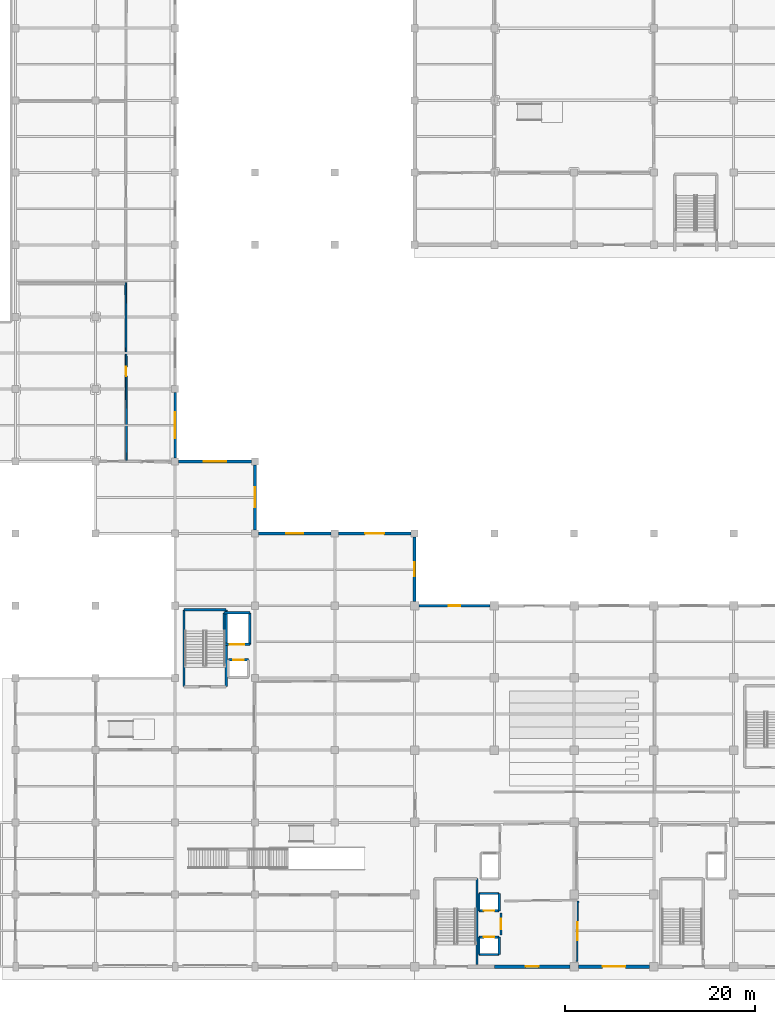
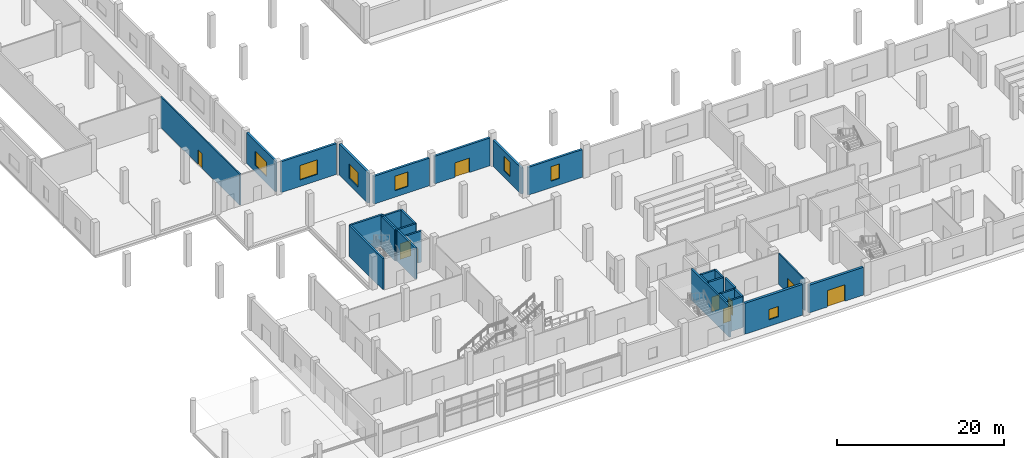
# One storey, part 17 of 36: 29 walls, 9 doors, 7 windows, 16 openings.
"""IFC4 building model written with IfcOpenShell, lengths in metres."""

from ifc_helpers import new_model, si_unit, direction, frame, frame_2d, origin, place, context, subcontext, project, spatial, rectangle, extrude, material, layer, layer_set, type_object, element, fill, save


model = new_model("IFC4")

# Units and contexts
model_context = context("Model", 3, precision=1e-05, world=origin(), true_north=direction((0.0, 1.0)))
body_context = subcontext(model_context, "Body", "Model", "MODEL_VIEW")
ifc_project = project(units=[si_unit("LENGTHUNIT", "METRE"), si_unit("AREAUNIT", "SQUARE_METRE"), si_unit("VOLUMEUNIT", "CUBIC_METRE"), si_unit("PLANEANGLEUNIT", "RADIAN"), si_unit("MASSUNIT", "GRAM", prefix="KILO")], contexts=[model_context])

# Site, building, storey
site_placement = place(None, origin())
site = spatial("IfcSite", under=ifc_project, at=site_placement, CompositionType="ELEMENT")
building_placement = place(site_placement, origin())
building = spatial("IfcBuilding", under=site, at=building_placement, Name="Zuvorla Pavilion Media Centre", CompositionType="ELEMENT")
storey_placement = place(building_placement, origin())
storey = spatial("IfcBuildingStorey", under=building, at=storey_placement, Name="L00", CompositionType="ELEMENT", Elevation=0.0)

# Wall, opening, door
ifc_material_1 = material(Name="Acoustic masonry blockwork C32/40", Category="masonry")
ifc_layer_1 = layer(ifc_material_1, 0.219970703125)
ifc_layer_set_1 = layer_set([ifc_layer_1], Name="Acoustic masonry blockwork C32/40")
wall_type_1 = type_object("IfcWallType", Name="WL-CMP-220", PredefinedType="SOLIDWALL", material=ifc_layer_set_1)
wall_1_placement = place(storey_placement, frame((75.89990234375, 9.35009765625, 0.0), z_axis=(0.0, 0.0, 1.0), x_axis=(0.0, 1.0, 0.0)))
wall_1 = element("IfcWall", 1, at=wall_1_placement, inside=storey, type_object=wall_type_1, Name="L00 solid wall IW22 18", PredefinedType="SOLIDWALL", context=body_context, shape_type="SweptSolid", body=[
    extrude(rectangle(XDim=2.2998046875, YDim=0.219970703125, at=frame_2d((1.14990234375, 0.0))), origin(), (0.0, 0.0, 1.0), 4.5),
])
opening_1_placement = place(wall_1_placement, frame((0.60009765625, 0.0, 0.0)))
opening_1 = element("IfcOpeningElement", 2, at=opening_1_placement, cuts=wall_1, Name="Opening FD05", PredefinedType="OPENING", context=body_context, shape_type="SweptSolid", body=[
    extrude(rectangle(XDim=1.10009765625, YDim=2.10009765625, at=frame_2d((0.550048828125, 1.050048828125))), frame((0.0, 0.119873046875, 0.0), z_axis=(0.0, -1.0, 0.0), x_axis=(1.0, 0.0, 0.0)), (0.0, 0.0, 1.0), 0.239990234375),
])
ifc_material_2 = material(Name="Acoustic timber fire door leaf in steel frame", Category="steel")
door_type_1 = type_object("IfcDoorType", Name="DR-INT-FD05", OperationType="NOTDEFINED", PredefinedType="DOOR", material=ifc_material_2)
door_1_placement = place(opening_1_placement, origin())
door_1 = element("IfcDoor", 3, at=door_1_placement, inside=storey, type_object=door_type_1, Name="Lift lobby 1 door FD05 8", OperationType="SINGLE_SWING_RIGHT", OverallHeight=2.10009765625, OverallWidth=1.10009765625, PredefinedType="DOOR", context=body_context, shape_type="SweptSolid", body=[
    extrude(rectangle(XDim=1.10009765625, YDim=2.10009765625, at=frame_2d((0.550048828125, 1.050048828125))), frame((0.0, 0.02490234375, 0.0), z_axis=(0.0, -1.0, 0.0), x_axis=(1.0, 0.0, 0.0)), (0.0, 0.0, 1.0), 0.050048828125),
])
fill(opening_1, door_1)

# Walls
ifc_material_3 = material(Name="Concrete C40/50", Category="concrete")
ifc_layer_2 = layer(ifc_material_3, 0.25)
ifc_layer_set_2 = layer_set([ifc_layer_2], Name="Concrete C40/50")
wall_type_2 = type_object("IfcWallType", Name="WL-COR-250", PredefinedType="SHEAR", material=ifc_layer_set_2)
wall_2_placement = place(storey_placement, frame((73.375, 6.22509765625, 0.0), z_axis=(0.0, 0.0, 1.0), x_axis=(0.0, 1.0, 0.0)))
element("IfcWall", 4, at=wall_2_placement, inside=storey, type_object=wall_type_2, Name="L00 shear wall CW25 13", PredefinedType="SHEAR", context=body_context, shape_type="SweptSolid", body=[
    extrude(rectangle(XDim=9.0498046875, YDim=0.25, at=frame_2d((4.52490234375, 0.0))), origin(), (0.0, 0.0, 1.0), 4.52001953125),
])
wall_3_placement = place(storey_placement, frame((73.590087890625, 7.2900390625, 0.0), z_axis=(0.0, 0.0, 1.0), x_axis=(1.0, 0.0, 0.0)))
element("IfcWall", 5, at=wall_3_placement, inside=storey, type_object=wall_type_2, Name="L00 shear wall CW25 65", PredefinedType="SHEAR", context=body_context, shape_type="SweptSolid", body=[
    extrude(rectangle(XDim=2.119873046875, YDim=0.25, at=frame_2d((1.06005859375, 0.0))), origin(), (0.0, 0.0, 1.0), 4.52001953125),
])

# Wall, opening, door
wall_4_placement = place(storey_placement, frame((73.590087890625, 9.110107421875, 0.0), z_axis=(0.0, 0.0, 1.0), x_axis=(1.0, 0.0, 0.0)))
wall_4 = element("IfcWall", 6, at=wall_4_placement, inside=storey, type_object=wall_type_2, Name="L00 shear wall CW25 66", PredefinedType="SHEAR", context=body_context, shape_type="SweptSolid", body=[
    extrude(rectangle(XDim=2.119873046875, YDim=0.25, at=frame_2d((1.06005859375, 0.0))), origin(), (0.0, 0.0, 1.0), 4.52001953125),
])
opening_2_placement = place(wall_4_placement, frame((0.510009765625, 0.0, 0.0)))
opening_2 = element("IfcOpeningElement", 7, at=opening_2_placement, cuts=wall_4, Name="Opening LD01", PredefinedType="OPENING", context=body_context, shape_type="SweptSolid", body=[
    extrude(rectangle(XDim=1.10009765625, YDim=2.14990234375, at=frame_2d((0.550048828125, 1.074951171875))), frame((0.0, 0.135009765625, 0.0), z_axis=(0.0, -1.0, 0.0), x_axis=(1.0, 0.0, 0.0)), (0.0, 0.0, 1.0), 0.27001953125),
])
ifc_material_4 = material(Name="Brushed stainless steel sliding lift landing door", Category="steel")
door_type_2 = type_object("IfcDoorType", Name="DR-LFT-LD01", OperationType="SLIDING_TO_LEFT", PredefinedType="DOOR", material=ifc_material_4)
door_2_placement = place(opening_2_placement, origin())
door_2 = element("IfcDoor", 8, at=door_2_placement, inside=storey, type_object=door_type_2, Name="Lift LF-01 landing door LD01 34", OperationType="SLIDING_TO_LEFT", OverallHeight=2.14990234375, OverallWidth=1.10009765625, PredefinedType="DOOR", context=body_context, shape_type="SweptSolid", body=[
    extrude(rectangle(XDim=1.10009765625, YDim=2.14990234375, at=frame_2d((0.550048828125, 1.074951171875))), frame((0.0, 0.02490234375, 0.0), z_axis=(0.0, -1.0, 0.0), x_axis=(1.0, 0.0, 0.0)), (0.0, 0.0, 1.0), 0.050048828125),
])
fill(opening_2, door_2)

# Walls
for number, where, z_axis, x_axis, name in (
    (9, (73.590087890625, 7.2900390625, 0.0), (0.0, 0.0, 1.0), (0.0, 1.0, 0.0), "L00 shear wall CW25 67"),
    (10, (75.7099609375, 7.2900390625, 0.0), (0.0, 0.0, 1.0), (0.0, 1.0, 0.0), "L00 shear wall CW25 68"),
):
    element("IfcWall", number, at=place(storey_placement, frame(where, z_axis=z_axis, x_axis=x_axis)), inside=storey, type_object=wall_type_2, Name=name, PredefinedType="SHEAR", context=body_context, shape_type="SweptSolid", body=[
        extrude(rectangle(XDim=1.820068359375, YDim=0.25, at=frame_2d((0.91015625, 0.0))), origin(), (0.0, 0.0, 1.0), 4.52001953125),
    ])

# Wall, opening, door
wall_5_placement = place(storey_placement, frame((73.590087890625, 11.889892578125, 0.0), z_axis=(0.0, 0.0, 1.0), x_axis=(1.0, 0.0, 0.0)))
wall_5 = element("IfcWall", 11, at=wall_5_placement, inside=storey, type_object=wall_type_2, Name="L00 shear wall CW25 97", PredefinedType="SHEAR", context=body_context, shape_type="SweptSolid", body=[
    extrude(rectangle(XDim=2.119873046875, YDim=0.25, at=frame_2d((1.06005859375, 0.0))), origin(), (0.0, 0.0, 1.0), 4.52001953125),
])
opening_3_placement = place(wall_5_placement, frame((0.510009765625, 0.0, 0.0)))
opening_3 = element("IfcOpeningElement", 12, at=opening_3_placement, cuts=wall_5, Name="Opening LD01", PredefinedType="OPENING", context=body_context, shape_type="SweptSolid", body=[
    extrude(rectangle(XDim=1.10009765625, YDim=2.14990234375, at=frame_2d((0.550048828125, 1.074951171875))), frame((0.0, 0.135009765625, 0.0), z_axis=(0.0, -1.0, 0.0), x_axis=(1.0, 0.0, 0.0)), (0.0, 0.0, 1.0), 0.27001953125),
])
door_3_placement = place(opening_3_placement, origin())
door_3 = element("IfcDoor", 13, at=door_3_placement, inside=storey, type_object=door_type_2, Name="Lift LF-02 landing door LD01 42", OperationType="SLIDING_TO_LEFT", OverallHeight=2.14990234375, OverallWidth=1.10009765625, PredefinedType="DOOR", context=body_context, shape_type="SweptSolid", body=[
    extrude(rectangle(XDim=1.10009765625, YDim=2.14990234375, at=frame_2d((0.550048828125, 1.074951171875))), frame((0.0, 0.02490234375, 0.0), z_axis=(0.0, -1.0, 0.0), x_axis=(1.0, 0.0, 0.0)), (0.0, 0.0, 1.0), 0.050048828125),
])
fill(opening_3, door_3)

# Walls
wall_6_placement = place(storey_placement, frame((73.590087890625, 13.7099609375, 0.0), z_axis=(0.0, 0.0, 1.0), x_axis=(1.0, 0.0, 0.0)))
element("IfcWall", 14, at=wall_6_placement, inside=storey, type_object=wall_type_2, Name="L00 shear wall CW25 98", PredefinedType="SHEAR", context=body_context, shape_type="SweptSolid", body=[
    extrude(rectangle(XDim=2.119873046875, YDim=0.25, at=frame_2d((1.06005859375, 0.0))), origin(), (0.0, 0.0, 1.0), 4.52001953125),
])
for number, where, z_axis, x_axis, name in (
    (15, (73.590087890625, 11.889892578125, 0.0), (0.0, 0.0, 1.0), (0.0, 1.0, 0.0), "L00 shear wall CW25 99"),
    (16, (75.7099609375, 11.889892578125, 0.0), (0.0, 0.0, 1.0), (0.0, 1.0, 0.0), "L00 shear wall CW25 100"),
):
    element("IfcWall", number, at=place(storey_placement, frame(where, z_axis=z_axis, x_axis=x_axis)), inside=storey, type_object=wall_type_2, Name=name, PredefinedType="SHEAR", context=body_context, shape_type="SweptSolid", body=[
        extrude(rectangle(XDim=1.820068359375, YDim=0.25, at=frame_2d((0.91015625, 0.0))), origin(), (0.0, 0.0, 1.0), 4.52001953125),
    ])
for number, where, z_axis, x_axis, name in (
    (17, (42.52490234375, 35.47509765625, 0.0), (0.0, 0.0, 1.0), (0.0, 1.0, 0.0), "L00 shear wall CW25 241"),
    (18, (46.97509765625, 35.47509765625, 0.0), (0.0, 0.0, 1.0), (0.0, 1.0, 0.0), "L00 shear wall CW25 242"),
):
    element("IfcWall", number, at=place(storey_placement, frame(where, z_axis=z_axis, x_axis=x_axis)), inside=storey, type_object=wall_type_2, Name=name, PredefinedType="SHEAR", context=body_context, shape_type="SweptSolid", body=[
        extrude(rectangle(XDim=8.099853515625, YDim=0.25, at=frame_2d((4.0498046875, 0.0))), origin(), (0.0, 0.0, 1.0), 4.52001953125),
    ])
wall_7_placement = place(storey_placement, frame((42.52490234375, 43.574951171875, 0.0), z_axis=(0.0, 0.0, 1.0), x_axis=(1.0, 0.0, 0.0)))
element("IfcWall", 19, at=wall_7_placement, inside=storey, type_object=wall_type_2, Name="L00 shear wall CW25 243", PredefinedType="SHEAR", context=body_context, shape_type="SweptSolid", body=[
    extrude(rectangle(XDim=4.4501953125, YDim=0.25, at=frame_2d((2.22509765625, 0.0))), origin(), (0.0, 0.0, 1.0), 4.52001953125),
])

# Wall, opening, door
wall_8_placement = place(storey_placement, frame((47.18994140625, 38.31005859375, 0.0), z_axis=(0.0, 0.0, 1.0), x_axis=(1.0, 0.0, 0.0)))
wall_8 = element("IfcWall", 20, at=wall_8_placement, inside=storey, type_object=wall_type_2, Name="L00 shear wall CW25 266", PredefinedType="SHEAR", context=body_context, shape_type="SweptSolid", body=[
    extrude(rectangle(XDim=2.1201171875, YDim=0.25, at=frame_2d((1.06005859375, 0.0))), origin(), (0.0, 0.0, 1.0), 4.52001953125),
])
opening_4_placement = place(wall_8_placement, frame((0.510009765625, 0.0, 0.0)))
opening_4 = element("IfcOpeningElement", 21, at=opening_4_placement, cuts=wall_8, Name="Opening LD01", PredefinedType="OPENING", context=body_context, shape_type="SweptSolid", body=[
    extrude(rectangle(XDim=1.10009765625, YDim=2.14990234375, at=frame_2d((0.550048828125, 1.074951171875))), frame((0.0, 0.135009765625, 0.0), z_axis=(0.0, -1.0, 0.0), x_axis=(1.0, 0.0, 0.0)), (0.0, 0.0, 1.0), 0.27001953125),
])
door_4_placement = place(opening_4_placement, origin())
door_4 = element("IfcDoor", 22, at=door_4_placement, inside=storey, type_object=door_type_2, Name="Lift LF-05 landing door LD01 96", OperationType="SLIDING_TO_LEFT", OverallHeight=2.14990234375, OverallWidth=1.10009765625, PredefinedType="DOOR", context=body_context, shape_type="SweptSolid", body=[
    extrude(rectangle(XDim=1.10009765625, YDim=2.14990234375, at=frame_2d((0.550048828125, 1.074951171875))), frame((0.0, 0.02490234375, 0.0), z_axis=(0.0, -1.0, 0.0), x_axis=(1.0, 0.0, 0.0)), (0.0, 0.0, 1.0), 0.050048828125),
])
fill(opening_4, door_4)

wall_9_placement = place(storey_placement, frame((46.739990234375, 39.93994140625, 0.0), z_axis=(0.0, 0.0, 1.0), x_axis=(1.0, 0.0, 0.0)))
wall_9 = element("IfcWall", 23, at=wall_9_placement, inside=storey, type_object=wall_type_2, Name="L00 shear wall CW25 285", PredefinedType="SHEAR", context=body_context, shape_type="SweptSolid", body=[
    extrude(rectangle(XDim=2.719970703125, YDim=0.25, at=frame_2d((1.35986328125, 0.0))), origin(), (0.0, 0.0, 1.0), 4.52001953125),
])
opening_5_placement = place(wall_9_placement, frame((0.610107421875, 0.0, 0.0)))
opening_5 = element("IfcOpeningElement", 24, at=opening_5_placement, cuts=wall_9, Name="Opening LD03", PredefinedType="OPENING", context=body_context, shape_type="SweptSolid", body=[
    extrude(rectangle(XDim=1.5, YDim=2.300048828125, at=frame_2d((0.75, 1.14990234375))), frame((0.0, 0.135009765625, 0.0), z_axis=(0.0, -1.0, 0.0), x_axis=(1.0, 0.0, 0.0)), (0.0, 0.0, 1.0), 0.27001953125),
])
door_type_3 = type_object("IfcDoorType", Name="DR-LFT-LD03", OperationType="SLIDING_TO_LEFT", PredefinedType="DOOR", material=ifc_material_4)
door_5_placement = place(opening_5_placement, origin())
door_5 = element("IfcDoor", 25, at=door_5_placement, inside=storey, type_object=door_type_3, Name="Lift LF-06 landing door LD03 101", OperationType="SLIDING_TO_LEFT", OverallHeight=2.300048828125, OverallWidth=1.5, PredefinedType="DOOR", context=body_context, shape_type="SweptSolid", body=[
    extrude(rectangle(XDim=1.5, YDim=2.300048828125, at=frame_2d((0.75, 1.14990234375))), frame((0.0, 0.02490234375, 0.0), z_axis=(0.0, -1.0, 0.0), x_axis=(1.0, 0.0, 0.0)), (0.0, 0.0, 1.0), 0.050048828125),
])
fill(opening_5, door_5)

# Walls
wall_10_placement = place(storey_placement, frame((46.739990234375, 43.260009765625, 0.0), z_axis=(0.0, 0.0, 1.0), x_axis=(1.0, 0.0, 0.0)))
element("IfcWall", 26, at=wall_10_placement, inside=storey, type_object=wall_type_2, Name="L00 shear wall CW25 286", PredefinedType="SHEAR", context=body_context, shape_type="SweptSolid", body=[
    extrude(rectangle(XDim=2.719970703125, YDim=0.25, at=frame_2d((1.35986328125, 0.0))), origin(), (0.0, 0.0, 1.0), 4.52001953125),
])
for number, where, z_axis, x_axis, name in (
    (27, (46.739990234375, 39.93994140625, 0.0), (0.0, 0.0, 1.0), (0.0, 1.0, 0.0), "L00 shear wall CW25 287"),
    (28, (49.4599609375, 39.93994140625, 0.0), (0.0, 0.0, 1.0), (0.0, 1.0, 0.0), "L00 shear wall CW25 288"),
):
    element("IfcWall", number, at=place(storey_placement, frame(where, z_axis=z_axis, x_axis=x_axis)), inside=storey, type_object=wall_type_2, Name=name, PredefinedType="SHEAR", context=body_context, shape_type="SweptSolid", body=[
        extrude(rectangle(XDim=3.320068359375, YDim=0.25, at=frame_2d((1.66015625, 0.0))), origin(), (0.0, 0.0, 1.0), 4.52001953125),
    ])

# Wall, opening, window
ifc_material_5 = material(Name="White rendered concrete C32/40", Category="concrete")
ifc_layer_3 = layer(ifc_material_5, 0.300048828125)
ifc_layer_set_3 = layer_set([ifc_layer_3], Name="White rendered concrete C32/40")
wall_type_3 = type_object("IfcWallType", Name="WL-EXT-300", PredefinedType="SOLIDWALL", material=ifc_layer_set_3)
wall_11_placement = place(storey_placement, frame((74.75, 44.0, 0.0), z_axis=(0.0, 0.0, 1.0), x_axis=(-1.0, 0.0, 0.0)))
wall_11 = element("IfcWall", 29, at=wall_11_placement, inside=storey, type_object=wall_type_3, Name="L00 exterior solid wall EW03 80", PredefinedType="SOLIDWALL", context=body_context, shape_type="SweptSolid", body=[
    extrude(rectangle(XDim=7.5, YDim=0.300048828125, at=frame_2d((3.75, 0.0))), origin(), (0.0, 0.0, 1.0), 4.047119140625),
])
opening_6_placement = place(wall_11_placement, frame((3.14990234375, 0.0, 0.949951171875)))
opening_6 = element("IfcOpeningElement", 30, at=opening_6_placement, cuts=wall_11, Name="Opening WN17", PredefinedType="OPENING", context=body_context, shape_type="SweptSolid", body=[
    extrude(rectangle(XDim=1.199951171875, YDim=2.10009765625, at=frame_2d((0.60009765625, 1.050048828125))), frame((0.0, 0.159912109375, 0.0), z_axis=(0.0, -1.0, 0.0), x_axis=(1.0, 0.0, 0.0)), (0.0, 0.0, 1.0), 0.320068359375),
])
ifc_material_6 = material(Name="Anodised aluminium frame with solar double glazing", Category="aluminium")
window_type_1 = type_object("IfcWindowType", Name="WIN-WN17", PartitioningType="SINGLE_PANEL", PredefinedType="WINDOW", material=ifc_material_6)
window_1_placement = place(opening_6_placement, origin())
window_1 = element("IfcWindow", 31, at=window_1_placement, inside=storey, type_object=window_type_1, Name="L00 window WN17 17", OverallHeight=2.10009765625, OverallWidth=1.199951171875, PartitioningType="SINGLE_PANEL", PredefinedType="WINDOW", context=body_context, shape_type="SweptSolid", body=[
    extrude(rectangle(XDim=1.199951171875, YDim=2.10009765625, at=frame_2d((0.60009765625, 1.050048828125))), frame((0.0, 0.030029296875, 0.0), z_axis=(0.0, -1.0, 0.0), x_axis=(1.0, 0.0, 0.0)), (0.0, 0.0, 1.0), 0.06005859375),
])
fill(opening_6, window_1)

wall_12_placement = place(storey_placement, frame((66.800048828125, 44.449951171875, 0.0), z_axis=(0.0, 0.0, 1.0), x_axis=(0.0, 1.0, 0.0)))
wall_12 = element("IfcWall", 32, at=wall_12_placement, inside=storey, type_object=wall_type_3, Name="L00 exterior solid wall EW03 81", PredefinedType="SOLIDWALL", context=body_context, shape_type="SweptSolid", body=[
    extrude(rectangle(XDim=6.775146484375, YDim=0.300048828125, at=frame_2d((3.3876953125, 0.0))), origin(), (0.0, 0.0, 1.0), 3.810302734375),
])
opening_7_placement = place(wall_12_placement, frame((2.637451171875, 0.0, 0.949951171875)))
opening_7 = element("IfcOpeningElement", 33, at=opening_7_placement, cuts=wall_12, Name="Opening WN18", PredefinedType="OPENING", context=body_context, shape_type="SweptSolid", body=[
    extrude(rectangle(XDim=1.5, YDim=2.10009765625, at=frame_2d((0.75, 1.050048828125))), frame((0.0, 0.159912109375, 0.0), z_axis=(0.0, -1.0, 0.0), x_axis=(1.0, 0.0, 0.0)), (0.0, 0.0, 1.0), 0.320068359375),
])
window_type_2 = type_object("IfcWindowType", Name="WIN-WN18", PartitioningType="SINGLE_PANEL", PredefinedType="WINDOW", material=ifc_material_6)
window_2_placement = place(opening_7_placement, origin())
window_2 = element("IfcWindow", 34, at=window_2_placement, inside=storey, type_object=window_type_2, Name="L00 window WN18 18", OverallHeight=2.10009765625, OverallWidth=1.5, PartitioningType="SINGLE_PANEL", PredefinedType="WINDOW", context=body_context, shape_type="SweptSolid", body=[
    extrude(rectangle(XDim=1.5, YDim=2.10009765625, at=frame_2d((0.75, 1.050048828125))), frame((0.0, 0.030029296875, 0.0), z_axis=(0.0, -1.0, 0.0), x_axis=(1.0, 0.0, 0.0)), (0.0, 0.0, 1.0), 0.06005859375),
])
fill(opening_7, window_2)

# Wall, opening, door
wall_13_placement = place(storey_placement, frame((66.425048828125, 51.60009765625, 0.0), z_axis=(0.0, 0.0, 1.0), x_axis=(-1.0, 0.0, 0.0)))
wall_13 = element("IfcWall", 35, at=wall_13_placement, inside=storey, type_object=wall_type_3, Name="L00 exterior solid wall EW03 82", PredefinedType="SOLIDWALL", context=body_context, shape_type="SweptSolid", body=[
    extrude(rectangle(XDim=7.650146484375, YDim=0.300048828125, at=frame_2d((3.8251953125, 0.0))), origin(), (0.0, 0.0, 1.0), 4.047119140625),
])
opening_8_placement = place(wall_13_placement, frame((2.824951171875, 0.0, 0.0)))
opening_8 = element("IfcOpeningElement", 36, at=opening_8_placement, cuts=wall_13, Name="Opening GT02", PredefinedType="OPENING", context=body_context, shape_type="SweptSolid", body=[
    extrude(rectangle(XDim=2.0, YDim=2.10009765625, at=frame_2d((1.0, 1.050048828125))), frame((0.0, 0.159912109375, 0.0), z_axis=(0.0, -1.0, 0.0), x_axis=(1.0, 0.0, 0.0)), (0.0, 0.0, 1.0), 0.320068359375),
])
ifc_material_7 = material(Name="Architectural powder-coated steel service gate", Category="steel")
door_type_4 = type_object("IfcDoorType", Name="DR-GAT-200x210", OperationType="NOTDEFINED", PredefinedType="GATE", material=ifc_material_7)
door_6_placement = place(opening_8_placement, origin())
door_6 = element("IfcDoor", 37, at=door_6_placement, inside=storey, type_object=door_type_4, Name="Exterior Exit Door DR-EXT-L00-011", OperationType="DOUBLE_DOOR_SINGLE_SWING", OverallHeight=2.10009765625, OverallWidth=2.0, PredefinedType="GATE", context=body_context, shape_type="SweptSolid", body=[
    extrude(rectangle(XDim=2.0, YDim=2.10009765625, at=frame_2d((1.0, 1.050048828125))), frame((0.0, 0.02490234375, 0.0), z_axis=(0.0, -1.0, 0.0), x_axis=(1.0, 0.0, 0.0)), (0.0, 0.0, 1.0), 0.050048828125),
])
fill(opening_8, door_6)

# Wall, opening, window
wall_14_placement = place(storey_placement, frame((58.02490234375, 51.60009765625, 0.0), z_axis=(0.0, 0.0, 1.0), x_axis=(-1.0, 0.0, 0.0)))
wall_14 = element("IfcWall", 38, at=wall_14_placement, inside=storey, type_object=wall_type_3, Name="L00 exterior solid wall EW03 83", PredefinedType="SOLIDWALL", context=body_context, shape_type="SweptSolid", body=[
    extrude(rectangle(XDim=7.64990234375, YDim=0.300048828125, at=frame_2d((3.824951171875, 0.0))), origin(), (0.0, 0.0, 1.0), 4.047119140625),
])
opening_9_placement = place(wall_14_placement, frame((2.925048828125, 0.0, 0.949951171875)))
opening_9 = element("IfcOpeningElement", 39, at=opening_9_placement, cuts=wall_14, Name="Opening WN19", PredefinedType="OPENING", context=body_context, shape_type="SweptSolid", body=[
    extrude(rectangle(XDim=1.800048828125, YDim=2.10009765625, at=frame_2d((0.89990234375, 1.050048828125))), frame((0.0, 0.159912109375, 0.0), z_axis=(0.0, -1.0, 0.0), x_axis=(1.0, 0.0, 0.0)), (0.0, 0.0, 1.0), 0.320068359375),
])
window_type_3 = type_object("IfcWindowType", Name="WIN-WN19", PartitioningType="DOUBLE_PANEL_VERTICAL", PredefinedType="WINDOW", material=ifc_material_6)
window_3_placement = place(opening_9_placement, origin())
window_3 = element("IfcWindow", 40, at=window_3_placement, inside=storey, type_object=window_type_3, Name="L00 window WN19 19", OverallHeight=2.10009765625, OverallWidth=1.800048828125, PartitioningType="DOUBLE_PANEL_VERTICAL", PredefinedType="WINDOW", context=body_context, shape_type="SweptSolid", body=[
    extrude(rectangle(XDim=1.800048828125, YDim=2.10009765625, at=frame_2d((0.89990234375, 1.050048828125))), frame((0.0, 0.030029296875, 0.0), z_axis=(0.0, -1.0, 0.0), x_axis=(1.0, 0.0, 0.0)), (0.0, 0.0, 1.0), 0.06005859375),
])
fill(opening_9, window_3)

wall_15_placement = place(storey_placement, frame((50.0, 51.97509765625, 0.0), z_axis=(0.0, 0.0, 1.0), x_axis=(0.0, 1.0, 0.0)))
wall_15 = element("IfcWall", 41, at=wall_15_placement, inside=storey, type_object=wall_type_3, Name="L00 exterior solid wall EW03 84", PredefinedType="SOLIDWALL", context=body_context, shape_type="SweptSolid", body=[
    extrude(rectangle(XDim=6.849853515625, YDim=0.300048828125, at=frame_2d((3.4248046875, 0.0))), origin(), (0.0, 0.0, 1.0), 4.5),
])
opening_10_placement = place(wall_15_placement, frame((2.375, 0.0, 0.949951171875)))
opening_10 = element("IfcOpeningElement", 42, at=opening_10_placement, cuts=wall_15, Name="Opening WN20", PredefinedType="OPENING", context=body_context, shape_type="SweptSolid", body=[
    extrude(rectangle(XDim=2.10009765625, YDim=2.10009765625, at=frame_2d((1.050048828125, 1.050048828125))), frame((0.0, 0.159912109375, 0.0), z_axis=(0.0, -1.0, 0.0), x_axis=(1.0, 0.0, 0.0)), (0.0, 0.0, 1.0), 0.320068359375),
])
window_type_4 = type_object("IfcWindowType", Name="WIN-WN20", PartitioningType="DOUBLE_PANEL_VERTICAL", PredefinedType="WINDOW", material=ifc_material_6)
window_4_placement = place(opening_10_placement, origin())
window_4 = element("IfcWindow", 43, at=window_4_placement, inside=storey, type_object=window_type_4, Name="L00 window WN20 20", OverallHeight=2.10009765625, OverallWidth=2.10009765625, PartitioningType="DOUBLE_PANEL_VERTICAL", PredefinedType="WINDOW", context=body_context, shape_type="SweptSolid", body=[
    extrude(rectangle(XDim=2.10009765625, YDim=2.10009765625, at=frame_2d((1.050048828125, 1.050048828125))), frame((0.0, 0.030029296875, 0.0), z_axis=(0.0, -1.0, 0.0), x_axis=(1.0, 0.0, 0.0)), (0.0, 0.0, 1.0), 0.06005859375),
])
fill(opening_10, window_4)

wall_16_placement = place(storey_placement, frame((49.625, 59.199951171875, 0.0), z_axis=(0.0, 0.0, 1.0), x_axis=(-1.0, 0.0, 0.0)))
wall_16 = element("IfcWall", 44, at=wall_16_placement, inside=storey, type_object=wall_type_3, Name="L00 exterior solid wall EW03 85", PredefinedType="SOLIDWALL", context=body_context, shape_type="SweptSolid", body=[
    extrude(rectangle(XDim=7.64990234375, YDim=0.300048828125, at=frame_2d((3.824951171875, 0.0))), origin(), (0.0, 0.0, 1.0), 4.5),
])
opening_11_placement = place(wall_16_placement, frame((2.625, 0.0, 0.949951171875)))
opening_11 = element("IfcOpeningElement", 45, at=opening_11_placement, cuts=wall_16, Name="Opening WN21", PredefinedType="OPENING", context=body_context, shape_type="SweptSolid", body=[
    extrude(rectangle(XDim=2.39990234375, YDim=2.10009765625, at=frame_2d((1.199951171875, 1.050048828125))), frame((0.0, 0.159912109375, 0.0), z_axis=(0.0, -1.0, 0.0), x_axis=(1.0, 0.0, 0.0)), (0.0, 0.0, 1.0), 0.320068359375),
])
window_type_5 = type_object("IfcWindowType", Name="WIN-WN21", PartitioningType="DOUBLE_PANEL_VERTICAL", PredefinedType="WINDOW", material=ifc_material_6)
window_5_placement = place(opening_11_placement, origin())
window_5 = element("IfcWindow", 46, at=window_5_placement, inside=storey, type_object=window_type_5, Name="L00 window WN21 21", OverallHeight=2.10009765625, OverallWidth=2.39990234375, PartitioningType="DOUBLE_PANEL_VERTICAL", PredefinedType="WINDOW", context=body_context, shape_type="SweptSolid", body=[
    extrude(rectangle(XDim=2.39990234375, YDim=2.10009765625, at=frame_2d((1.199951171875, 1.050048828125))), frame((0.0, 0.030029296875, 0.0), z_axis=(0.0, -1.0, 0.0), x_axis=(1.0, 0.0, 0.0)), (0.0, 0.0, 1.0), 0.06005859375),
])
fill(opening_11, window_5)

wall_17_placement = place(storey_placement, frame((41.60009765625, 59.574951171875, 0.0), z_axis=(0.0, 0.0, 1.0), x_axis=(0.0, 1.0, 0.0)))
wall_17 = element("IfcWall", 47, at=wall_17_placement, inside=storey, type_object=wall_type_3, Name="L00 exterior solid wall EW03 86", PredefinedType="SOLIDWALL", context=body_context, shape_type="SweptSolid", body=[
    extrude(rectangle(XDim=6.85009765625, YDim=0.300048828125, at=frame_2d((3.425048828125, 0.0))), origin(), (0.0, 0.0, 1.0), 4.5),
])
opening_12_placement = place(wall_17_placement, frame((2.074951171875, 0.0, 0.949951171875)))
opening_12 = element("IfcOpeningElement", 48, at=opening_12_placement, cuts=wall_17, Name="Opening WN22", PredefinedType="OPENING", context=body_context, shape_type="SweptSolid", body=[
    extrude(rectangle(XDim=2.699951171875, YDim=2.10009765625, at=frame_2d((1.35009765625, 1.050048828125))), frame((0.0, 0.159912109375, 0.0), z_axis=(0.0, -1.0, 0.0), x_axis=(1.0, 0.0, 0.0)), (0.0, 0.0, 1.0), 0.320068359375),
])
window_type_6 = type_object("IfcWindowType", Name="WIN-WN22", PartitioningType="DOUBLE_PANEL_VERTICAL", PredefinedType="WINDOW", material=ifc_material_6)
window_6_placement = place(opening_12_placement, origin())
window_6 = element("IfcWindow", 49, at=window_6_placement, inside=storey, type_object=window_type_6, Name="L00 window WN22 22", OverallHeight=2.10009765625, OverallWidth=2.699951171875, PartitioningType="DOUBLE_PANEL_VERTICAL", PredefinedType="WINDOW", context=body_context, shape_type="SweptSolid", body=[
    extrude(rectangle(XDim=2.699951171875, YDim=2.10009765625, at=frame_2d((1.35009765625, 1.050048828125))), frame((0.0, 0.030029296875, 0.0), z_axis=(0.0, -1.0, 0.0), x_axis=(1.0, 0.0, 0.0)), (0.0, 0.0, 1.0), 0.06005859375),
])
fill(opening_12, window_6)

ifc_layer_4 = layer(ifc_material_5, 0.340087890625)
ifc_layer_set_4 = layer_set([ifc_layer_4], Name="White rendered concrete C32/40")
wall_type_4 = type_object("IfcWallType", Name="WL-EXT-340", PredefinedType="SOLIDWALL", material=ifc_layer_set_4)
wall_18_placement = place(storey_placement, frame((75.199951171875, 6.0, 0.0), z_axis=(0.0, 0.0, 1.0), x_axis=(1.0, 0.0, 0.0)))
wall_18 = element("IfcWall", 50, at=wall_18_placement, inside=storey, type_object=wall_type_4, Name="L00 exterior solid wall EW02 55", PredefinedType="SOLIDWALL", context=body_context, shape_type="SweptSolid", body=[
    extrude(rectangle(XDim=7.949951171875, YDim=0.340087890625, at=frame_2d((3.97509765625, 0.0))), origin(), (0.0, 0.0, 1.0), 4.5),
])
opening_13_placement = place(wall_18_placement, frame((3.300048828125, 0.0, 0.949951171875)))
opening_13 = element("IfcOpeningElement", 51, at=opening_13_placement, cuts=wall_18, Name="Opening WN02", PredefinedType="OPENING", context=body_context, shape_type="SweptSolid", body=[
    extrude(rectangle(XDim=1.35009765625, YDim=1.5, at=frame_2d((0.675048828125, 0.75))), frame((0.0, 0.179931640625, 0.0), z_axis=(0.0, -1.0, 0.0), x_axis=(1.0, 0.0, 0.0)), (0.0, 0.0, 1.0), 0.360107421875),
])
window_type_7 = type_object("IfcWindowType", Name="WIN-WN02", PartitioningType="SINGLE_PANEL", PredefinedType="WINDOW", material=ifc_material_6)
window_7_placement = place(opening_13_placement, origin())
window_7 = element("IfcWindow", 52, at=window_7_placement, inside=storey, type_object=window_type_7, Name="L00 window WN02 2", OverallHeight=1.5, OverallWidth=1.35009765625, PartitioningType="SINGLE_PANEL", PredefinedType="WINDOW", context=body_context, shape_type="SweptSolid", body=[
    extrude(rectangle(XDim=1.35009765625, YDim=1.5, at=frame_2d((0.675048828125, 0.75))), frame((0.0, 0.030029296875, 0.0), z_axis=(0.0, -1.0, 0.0), x_axis=(1.0, 0.0, 0.0)), (0.0, 0.0, 1.0), 0.06005859375),
])
fill(opening_13, window_7)

# Wall, opening, door
wall_19_placement = place(storey_placement, frame((84.050048828125, 6.0, 0.0), z_axis=(0.0, 0.0, 1.0), x_axis=(1.0, 0.0, 0.0)))
wall_19 = element("IfcWall", 53, at=wall_19_placement, inside=storey, type_object=wall_type_4, Name="L00 exterior solid wall EW02 56", PredefinedType="SOLIDWALL", context=body_context, shape_type="SweptSolid", body=[
    extrude(rectangle(XDim=7.5, YDim=0.340087890625, at=frame_2d((3.75, 0.0))), origin(), (0.0, 0.0, 1.0), 4.047119140625),
])
opening_14_placement = place(wall_19_placement, frame((2.550048828125, 0.0, 0.0)))
opening_14 = element("IfcOpeningElement", 54, at=opening_14_placement, cuts=wall_19, Name="Opening ED01", PredefinedType="OPENING", context=body_context, shape_type="SweptSolid", body=[
    extrude(rectangle(XDim=2.39990234375, YDim=2.39990234375, at=frame_2d((1.199951171875, 1.199951171875))), frame((0.0, 0.179931640625, 0.0), z_axis=(0.0, -1.0, 0.0), x_axis=(1.0, 0.0, 0.0)), (0.0, 0.0, 1.0), 0.360107421875),
])
ifc_material_8 = material(Name="Anodised aluminium glazed entrance door", Category="aluminium")
door_type_5 = type_object("IfcDoorType", Name="DR-EXT-240x240", OperationType="NOTDEFINED", PredefinedType="DOOR", material=ifc_material_8)
door_7_placement = place(opening_14_placement, frame((2.39990234375, 0.0, 0.0), z_axis=(0.0, 0.0, 1.0), x_axis=(-1.0, 0.0, 0.0)))
door_7 = element("IfcDoor", 55, at=door_7_placement, inside=storey, type_object=door_type_5, Name="Exterior Exit Door DR-EXT-L00-004", OperationType="DOUBLE_DOOR_SINGLE_SWING", OverallHeight=2.39990234375, OverallWidth=2.39990234375, PredefinedType="DOOR", context=body_context, shape_type="SweptSolid", body=[
    extrude(rectangle(XDim=2.39990234375, YDim=2.39990234375, at=frame_2d((1.199951171875, 1.199951171875))), frame((0.0, 0.02490234375, 0.0), z_axis=(0.0, -1.0, 0.0), x_axis=(1.0, 0.0, 0.0)), (0.0, 0.0, 1.0), 0.050048828125),
])
fill(opening_14, door_7)

ifc_material_9 = material(Name="Double acoustic gypsum stud partition")
ifc_layer_5 = layer(ifc_material_9, 0.179931640625)
ifc_layer_set_5 = layer_set([ifc_layer_5], Name="Double acoustic gypsum stud partition")
wall_type_5 = type_object("IfcWallType", Name="WL-PRT-180", PredefinedType="PARTITIONING", material=ifc_layer_set_5)
wall_20_placement = place(storey_placement, frame((36.489501953125, 59.2900390625, 0.0), z_axis=(0.0, 0.0, 1.0), x_axis=(-0.004757754169, 0.999988681824, 0.0)))
wall_20 = element("IfcWall", 56, at=wall_20_placement, inside=storey, type_object=wall_type_5, Name="L00 partition PT18 393", PredefinedType="PARTITIONING", context=body_context, shape_type="SweptSolid", body=[
    extrude(rectangle(XDim=18.729736328125, YDim=0.179931640625, at=frame_2d((9.36474609375, 0.0))), origin(), (0.0, 0.0, 1.0), 4.5),
])
opening_15_placement = place(wall_20_placement, frame((8.864990234375, 0.0, 0.0)))
opening_15 = element("IfcOpeningElement", 57, at=opening_15_placement, cuts=wall_20, Name="Opening FD03", PredefinedType="OPENING", context=body_context, shape_type="SweptSolid", body=[
    extrude(rectangle(XDim=1.0, YDim=2.10009765625, at=frame_2d((0.5, 1.050048828125))), frame((0.0, 0.099853515625, 0.0), z_axis=(0.0, -1.0, 0.0), x_axis=(1.0, 0.0, 0.0)), (0.0, 0.0, 1.0), 0.199951171875),
])
door_type_6 = type_object("IfcDoorType", Name="DR-INT-FD03", OperationType="NOTDEFINED", PredefinedType="DOOR", material=ifc_material_2)
door_8_placement = place(opening_15_placement, origin())
door_8 = element("IfcDoor", 58, at=door_8_placement, inside=storey, type_object=door_type_6, Name="Interior door FD03 137", OperationType="SINGLE_SWING_RIGHT", OverallHeight=2.10009765625, OverallWidth=1.0, PredefinedType="DOOR", context=body_context, shape_type="SweptSolid", body=[
    extrude(rectangle(XDim=1.0, YDim=2.10009765625, at=frame_2d((0.5, 1.050048828125))), frame((0.0, 0.02490234375, 0.0), z_axis=(0.0, -1.0, 0.0), x_axis=(1.0, 0.0, 0.0)), (0.0, 0.0, 1.0), 0.050048828125),
])
fill(opening_15, door_8)

wall_21_placement = place(storey_placement, frame((83.998779296875, 12.919921875, 0.0), z_axis=(0.0, 0.0, 1.0), x_axis=(-0.013736649608, -0.999905647778, 0.0)))
wall_21 = element("IfcWall", 59, at=wall_21_placement, inside=storey, type_object=wall_type_5, Name="L00 partition PT18 403", PredefinedType="PARTITIONING", context=body_context, shape_type="SweptSolid", body=[
    extrude(rectangle(XDim=6.38037109375, YDim=0.179931640625, at=frame_2d((3.190185546875, 0.0))), origin(), (0.0, 0.0, 1.0), 4.5),
])
opening_16_placement = place(wall_21_placement, frame((2.240234375, 0.0, 0.0)))
opening_16 = element("IfcOpeningElement", 60, at=opening_16_placement, cuts=wall_21, Name="Opening FD11", PredefinedType="OPENING", context=body_context, shape_type="SweptSolid", body=[
    extrude(rectangle(XDim=1.89990234375, YDim=2.199951171875, at=frame_2d((0.949951171875, 1.10009765625))), frame((0.0, 0.099853515625, 0.0), z_axis=(0.0, -1.0, 0.0), x_axis=(1.0, 0.0, 0.0)), (0.0, 0.0, 1.0), 0.199951171875),
])
door_type_7 = type_object("IfcDoorType", Name="DR-INT-FD11", OperationType="NOTDEFINED", PredefinedType="DOOR", material=ifc_material_2)
door_9_placement = place(opening_16_placement, origin())
door_9 = element("IfcDoor", 61, at=door_9_placement, inside=storey, type_object=door_type_7, Name="Interior door FD11 147", OperationType="DOUBLE_DOOR_SINGLE_SWING", OverallHeight=2.199951171875, OverallWidth=1.89990234375, PredefinedType="DOOR", context=body_context, shape_type="SweptSolid", body=[
    extrude(rectangle(XDim=1.89990234375, YDim=2.199951171875, at=frame_2d((0.949951171875, 1.10009765625))), frame((0.0, 0.02490234375, 0.0), z_axis=(0.0, -1.0, 0.0), x_axis=(1.0, 0.0, 0.0)), (0.0, 0.0, 1.0), 0.050048828125),
])
fill(opening_16, door_9)

save(model, "model.ifc")
